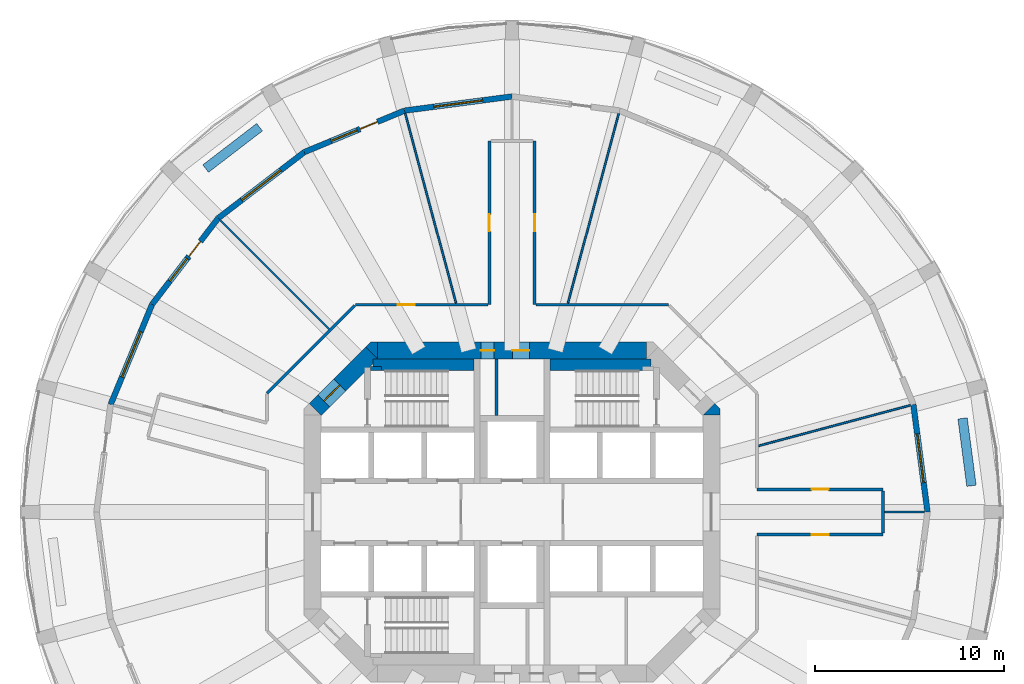
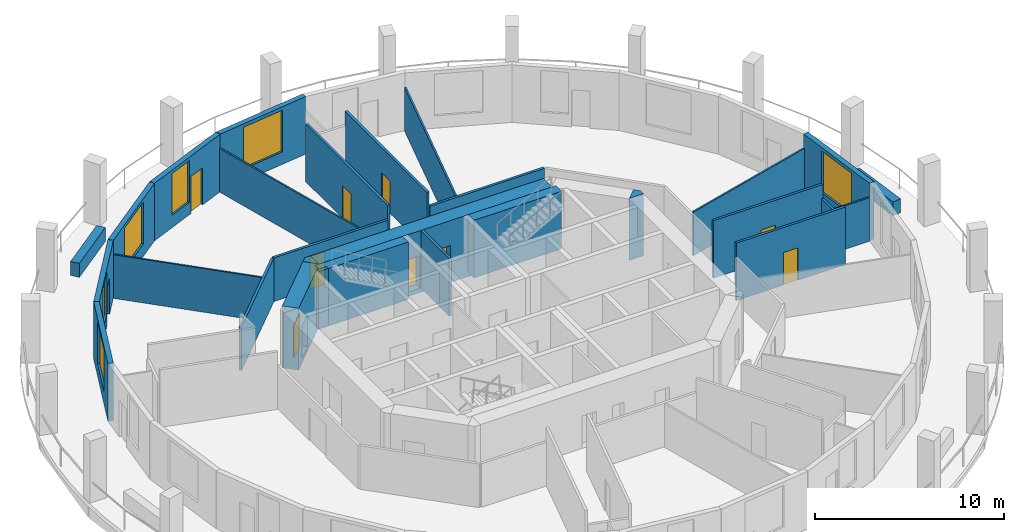
# One storey, part 5 of 8: 29 walls, 10 doors, 6 windows, 16 openings.
"""IFC4 building model written with IfcOpenShell, lengths in metres."""

from ifc_helpers import new_model, si_unit, direction, frame, frame_2d, origin, place, context, subcontext, project, spatial, polyline, rectangle, outline, extrude, material, layer, layer_set, type_object, element, fill, save


model = new_model("IFC4")

# Units and contexts
model_context = context("Model", 3, precision=1e-05, world=origin(), true_north=direction((0.0, 1.0)))
body_context = subcontext(model_context, "Body", "Model", "MODEL_VIEW")
ifc_project = project(units=[si_unit("LENGTHUNIT", "METRE"), si_unit("AREAUNIT", "SQUARE_METRE"), si_unit("VOLUMEUNIT", "CUBIC_METRE"), si_unit("PLANEANGLEUNIT", "RADIAN"), si_unit("MASSUNIT", "GRAM", prefix="KILO")], contexts=[model_context])

# Site, building, storey
site_placement = place(None, origin())
site = spatial("IfcSite", under=ifc_project, at=site_placement, CompositionType="ELEMENT")
building_placement = place(site_placement, origin())
building = spatial("IfcBuilding", under=site, at=building_placement, Name="Torre Triforio", CompositionType="ELEMENT")
storey_placement = place(building_placement, frame((0.0, 0.0, 90.60009765625)))
storey = spatial("IfcBuildingStorey", under=building, at=storey_placement, Name="L19", CompositionType="ELEMENT", Elevation=90.60009765625)

# Wall, openings, doors
ifc_material_1 = material(Name="Concrete C60", Category="concrete")
ifc_layer_1 = layer(ifc_material_1, 0.89990234375)
ifc_layer_set_1 = layer_set([ifc_layer_1], Name="Concrete C60")
wall_type_1 = type_object("IfcWallType", Name="Core wall 900 mm C60 EI 120", PredefinedType="SHEAR", material=ifc_layer_set_1)
wall_1_placement = place(storey_placement, frame((-7.1298828125, 8.550048828125, -0.280029296875), z_axis=(0.0, 0.0, 1.0), x_axis=(1.0, 0.0, 0.0)))
wall_1 = element("IfcWall", 1, at=wall_1_placement, inside=storey, type_object=wall_type_1, Name="Core wall", PredefinedType="SHEAR", context=body_context, shape_type="SweptSolid", body=[
    extrude(rectangle(XDim=14.259765625, YDim=0.89990234375, at=frame_2d((7.1298828125, 0.0))), origin(), (0.0, 0.0, 1.0), 4.0),
])
opening_1_placement = place(wall_1_placement, frame((5.47998046875, 0.0, 0.280029296875)))
opening_1 = element("IfcOpeningElement", 2, at=opening_1_placement, cuts=wall_1, Name="Opening RISER-N", PredefinedType="OPENING", context=body_context, shape_type="SweptSolid", body=[
    extrude(rectangle(XDim=0.699951171875, YDim=2.10009765625, at=frame_2d((0.35009765625, 1.050048828125))), frame((0.0, 0.4599609375, 0.0), z_axis=(0.0, -1.0, 0.0), x_axis=(1.0, 0.0, 0.0)), (0.0, 0.0, 1.0), 0.919921875),
])
opening_2_placement = place(wall_1_placement, frame((7.155029296875, 0.0, 0.280029296875)))
opening_2 = element("IfcOpeningElement", 3, at=opening_2_placement, cuts=wall_1, Name="Opening NE-01", PredefinedType="OPENING", context=body_context, shape_type="SweptSolid", body=[
    extrude(rectangle(XDim=0.89990234375, YDim=2.10009765625, at=frame_2d((0.449951171875, 1.050048828125))), frame((0.0, 0.4599609375, 0.0), z_axis=(0.0, -1.0, 0.0), x_axis=(1.0, 0.0, 0.0)), (0.0, 0.0, 1.0), 0.919921875),
])
ifc_material_2 = material(Name="Hollow metal fire door leaf")
door_type_1 = type_object("IfcDoorType", Name="Riser door 700 x 2100 EI 60", OperationType="NOTDEFINED", PredefinedType="DOOR", material=ifc_material_2)
door_1_placement = place(opening_1_placement, origin())
door_1 = element("IfcDoor", 4, at=door_1_placement, inside=storey, type_object=door_type_1, Name="Core door RISER-N", OperationType="SINGLE_SWING_LEFT", OverallHeight=2.10009765625, OverallWidth=0.699951171875, PredefinedType="DOOR", context=body_context, shape_type="SweptSolid", body=[
    extrude(rectangle(XDim=0.699951171875, YDim=2.10009765625, at=frame_2d((0.35009765625, 1.050048828125))), frame((0.0, 0.02490234375, 0.0), z_axis=(0.0, -1.0, 0.0), x_axis=(1.0, 0.0, 0.0)), (0.0, 0.0, 1.0), 0.050048828125),
])
fill(opening_1, door_1)
door_type_2 = type_object("IfcDoorType", Name="Room door 900 x 2100 EI 60", OperationType="NOTDEFINED", PredefinedType="DOOR", material=ifc_material_2)
door_2_placement = place(opening_2_placement, origin())
door_2 = element("IfcDoor", 5, at=door_2_placement, inside=storey, type_object=door_type_2, Name="Core door NE-01", OperationType="SINGLE_SWING_RIGHT", OverallHeight=2.10009765625, OverallWidth=0.89990234375, PredefinedType="DOOR", context=body_context, shape_type="SweptSolid", body=[
    extrude(rectangle(XDim=0.89990234375, YDim=2.10009765625, at=frame_2d((0.449951171875, 1.050048828125))), frame((0.0, 0.02490234375, 0.0), z_axis=(0.0, -1.0, 0.0), x_axis=(1.0, 0.0, 0.0)), (0.0, 0.0, 1.0), 0.050048828125),
])
fill(opening_2, door_2)

# Wall, opening, door
wall_2_placement = place(storey_placement, frame((-10.418212890625, 5.418212890625, -0.280029296875), z_axis=(0.0, 0.0, 1.0), x_axis=(0.707106781187, 0.707106781187, 0.0)))
wall_2 = element("IfcWall", 6, at=wall_2_placement, inside=storey, type_object=wall_type_1, Name="Core wall", PredefinedType="SHEAR", context=body_context, shape_type="SweptSolid", body=[
    extrude(rectangle(XDim=4.24267578125, YDim=0.89990234375, at=frame_2d((2.121337890625, 0.0))), origin(), (0.0, 0.0, 1.0), 4.0),
])
opening_3_placement = place(wall_2_placement, frame((0.64990234375, 0.0, 0.280029296875)))
opening_3 = element("IfcOpeningElement", 7, at=opening_3_placement, cuts=wall_2, Name="Opening ST1-EXIT", PredefinedType="OPENING", context=body_context, shape_type="SweptSolid", body=[
    extrude(rectangle(XDim=1.199951171875, YDim=2.10009765625, at=frame_2d((0.60009765625, 1.050048828125))), frame((0.0, 0.4599609375, 0.0), z_axis=(0.0, -1.0, 0.0), x_axis=(1.0, 0.0, 0.0)), (0.0, 0.0, 1.0), 0.919921875),
])
door_type_3 = type_object("IfcDoorType", Name="Stair lobby door 1200 x 2100 EI 60", OperationType="NOTDEFINED", PredefinedType="DOOR", material=ifc_material_2)
door_3_placement = place(opening_3_placement, origin())
door_3 = element("IfcDoor", 8, at=door_3_placement, inside=storey, type_object=door_type_3, Name="Core door ST1-EXIT", OperationType="SINGLE_SWING_RIGHT", OverallHeight=2.10009765625, OverallWidth=1.199951171875, PredefinedType="DOOR", context=body_context, shape_type="SweptSolid", body=[
    extrude(rectangle(XDim=1.199951171875, YDim=2.10009765625, at=frame_2d((0.60009765625, 1.050048828125))), frame((0.0, 0.02490234375, 0.0), z_axis=(0.0, -1.0, 0.0), x_axis=(1.0, 0.0, 0.0)), (0.0, 0.0, 1.0), 0.050048828125),
])
fill(opening_3, door_3)

# Walls
wall_3_placement = place(storey_placement, frame((0.0, 0.0, -0.280029296875)))
element("IfcWall", 9, at=wall_3_placement, inside=storey, type_object=wall_type_1, Name="Core wall", PredefinedType="SHEAR", context=body_context, shape_type="SweptSolid", body=[
    extrude(outline(polyline([(11.0, 5.472900390625), (11.0, 5.1298828125), (10.1298828125, 5.1298828125), (10.736328125, 5.736328125), (11.0, 5.472900390625)])), origin(), (0.0, 0.0, 1.0), 4.0),
])
wall_4_placement = place(storey_placement, frame((0.0, 0.0, -0.280029296875)))
element("IfcWall", 10, at=wall_4_placement, inside=storey, type_object=wall_type_1, Name="Core wall", PredefinedType="SHEAR", context=body_context, shape_type="SweptSolid", body=[
    extrude(outline(polyline([(-7.472900390625, 9.0), (-7.1298828125, 9.0), (-7.1298828125, 8.1298828125), (-7.736328125, 8.736328125), (-7.472900390625, 9.0)])), origin(), (0.0, 0.0, 1.0), 4.0),
])

# Wall, opening, door
ifc_material_3 = material(Name="Plasterboard on metal studs")
ifc_layer_2 = layer(ifc_material_3, 0.14990234375)
ifc_layer_set_2 = layer_set([ifc_layer_2], Name="Plasterboard on metal studs")
wall_type_2 = type_object("IfcWallType", Name="Corridor and tenancy wall 150 mm EI 60", PredefinedType="PARTITIONING", material=ifc_layer_set_2)
wall_5_placement = place(storey_placement, frame((19.648681640625, -1.199951171875, 0.0), z_axis=(0.0, 0.0, 1.0), x_axis=(-1.0, 0.0, 0.0)))
wall_5 = element("IfcWall", 11, at=wall_5_placement, inside=storey, type_object=wall_type_2, Name="Partition 1", PredefinedType="PARTITIONING", context=body_context, shape_type="SweptSolid", body=[
    extrude(rectangle(XDim=6.673583984375, YDim=0.14990234375, at=frame_2d((3.3369140625, 0.0))), origin(), (0.0, 0.0, 1.0), 3.719970703125),
])
opening_4_placement = place(wall_5_placement, frame((2.886962890625, 0.0, 0.0)))
opening_4 = element("IfcOpeningElement", 12, at=opening_4_placement, cuts=wall_5, Name="Opening N6-11", PredefinedType="OPENING", context=body_context, shape_type="SweptSolid", body=[
    extrude(rectangle(XDim=0.89990234375, YDim=2.10009765625, at=frame_2d((0.449951171875, 1.050048828125))), frame((0.0, 0.0849609375, 0.0), z_axis=(0.0, -1.0, 0.0), x_axis=(1.0, 0.0, 0.0)), (0.0, 0.0, 1.0), 0.169921875),
])
ifc_material_4 = material(Name="Timber", Category="wood")
door_type_4 = type_object("IfcDoorType", Name="Door 900 x 2100 single leaf EI 30", OperationType="NOTDEFINED", PredefinedType="DOOR", material=ifc_material_4)
door_4_placement = place(opening_4_placement, origin())
door_4 = element("IfcDoor", 13, at=door_4_placement, inside=storey, type_object=door_type_4, Name="Door N6-11", OperationType="SINGLE_SWING_RIGHT", OverallHeight=2.10009765625, OverallWidth=0.89990234375, PredefinedType="DOOR", context=body_context, shape_type="SweptSolid", body=[
    extrude(rectangle(XDim=0.89990234375, YDim=2.10009765625, at=frame_2d((0.449951171875, 1.050048828125))), frame((0.0, 0.02490234375, 0.0), z_axis=(0.0, -1.0, 0.0), x_axis=(1.0, 0.0, 0.0)), (0.0, 0.0, 1.0), 0.050048828125),
])
fill(opening_4, door_4)

# Wall
wall_6_placement = place(storey_placement, frame((-12.97509765625, 6.291015625, 0.0), z_axis=(0.0, 0.0, 1.0), x_axis=(0.707125355289, 0.707088206597, 0.0)))
element("IfcWall", 14, at=wall_6_placement, inside=storey, type_object=wall_type_2, Name="Partition 19", PredefinedType="PARTITIONING", context=body_context, shape_type="SweptSolid", body=[
    extrude(rectangle(XDim=6.572021484375, YDim=0.14990234375, at=frame_2d((3.2861328125, 0.0))), origin(), (0.0, 0.0, 1.0), 2.81982421875),
])

# Wall, opening, door
wall_7_placement = place(storey_placement, frame((-8.291015625, 10.97509765625, 0.0), z_axis=(0.0, 0.0, 1.0), x_axis=(1.0, 0.0, 0.0)))
wall_7 = element("IfcWall", 15, at=wall_7_placement, inside=storey, type_object=wall_type_2, Name="Partition 20", PredefinedType="PARTITIONING", context=body_context, shape_type="SweptSolid", body=[
    extrude(rectangle(XDim=7.01611328125, YDim=0.14990234375, at=frame_2d((3.508056640625, 0.0))), origin(), (0.0, 0.0, 1.0), 2.81982421875),
])
opening_5_placement = place(wall_7_placement, frame((2.25, 0.0, 0.0)))
opening_5 = element("IfcOpeningElement", 16, at=opening_5_placement, cuts=wall_7, Name="Opening N6-04", PredefinedType="OPENING", context=body_context, shape_type="SweptSolid", body=[
    extrude(rectangle(XDim=0.89990234375, YDim=2.10009765625, at=frame_2d((0.449951171875, 1.050048828125))), frame((0.0, 0.0849609375, 0.0), z_axis=(0.0, -1.0, 0.0), x_axis=(1.0, 0.0, 0.0)), (0.0, 0.0, 1.0), 0.169921875),
])
door_5_placement = place(opening_5_placement, origin())
door_5 = element("IfcDoor", 17, at=door_5_placement, inside=storey, type_object=door_type_4, Name="Door N6-04", OperationType="SINGLE_SWING_RIGHT", OverallHeight=2.10009765625, OverallWidth=0.89990234375, PredefinedType="DOOR", context=body_context, shape_type="SweptSolid", body=[
    extrude(rectangle(XDim=0.89990234375, YDim=2.10009765625, at=frame_2d((0.449951171875, 1.050048828125))), frame((0.0, 0.02490234375, 0.0), z_axis=(0.0, -1.0, 0.0), x_axis=(1.0, 0.0, 0.0)), (0.0, 0.0, 1.0), 0.050048828125),
])
fill(opening_5, door_5)

wall_8_placement = place(storey_placement, frame((-1.199951171875, 10.97509765625, 0.0), z_axis=(0.0, 0.0, 1.0), x_axis=(0.0, 1.0, 0.0)))
wall_8 = element("IfcWall", 18, at=wall_8_placement, inside=storey, type_object=wall_type_2, Name="Partition 21", PredefinedType="PARTITIONING", context=body_context, shape_type="SweptSolid", body=[
    extrude(rectangle(XDim=8.673583984375, YDim=0.14990234375, at=frame_2d((4.3369140625, 0.0))), origin(), (0.0, 0.0, 1.0), 3.719970703125),
])
opening_6_placement = place(wall_8_placement, frame((3.886962890625, 0.0, 0.0)))
opening_6 = element("IfcOpeningElement", 19, at=opening_6_placement, cuts=wall_8, Name="Opening N6-03", PredefinedType="OPENING", context=body_context, shape_type="SweptSolid", body=[
    extrude(rectangle(XDim=0.89990234375, YDim=2.10009765625, at=frame_2d((0.449951171875, 1.050048828125))), frame((0.0, 0.0849609375, 0.0), z_axis=(0.0, -1.0, 0.0), x_axis=(1.0, 0.0, 0.0)), (0.0, 0.0, 1.0), 0.169921875),
])
door_6_placement = place(opening_6_placement, origin())
door_6 = element("IfcDoor", 20, at=door_6_placement, inside=storey, type_object=door_type_4, Name="Door N6-03", OperationType="SINGLE_SWING_RIGHT", OverallHeight=2.10009765625, OverallWidth=0.89990234375, PredefinedType="DOOR", context=body_context, shape_type="SweptSolid", body=[
    extrude(rectangle(XDim=0.89990234375, YDim=2.10009765625, at=frame_2d((0.449951171875, 1.050048828125))), frame((0.0, 0.02490234375, 0.0), z_axis=(0.0, -1.0, 0.0), x_axis=(1.0, 0.0, 0.0)), (0.0, 0.0, 1.0), 0.050048828125),
])
fill(opening_6, door_6)

wall_9_placement = place(storey_placement, frame((1.199951171875, 19.648681640625, 0.0), z_axis=(0.0, 0.0, 1.0), x_axis=(0.0, -1.0, 0.0)))
wall_9 = element("IfcWall", 21, at=wall_9_placement, inside=storey, type_object=wall_type_2, Name="Partition 23", PredefinedType="PARTITIONING", context=body_context, shape_type="SweptSolid", body=[
    extrude(rectangle(XDim=8.673583984375, YDim=0.14990234375, at=frame_2d((4.3369140625, 0.0))), origin(), (0.0, 0.0, 1.0), 3.719970703125),
])
opening_7_placement = place(wall_9_placement, frame((3.886962890625, 0.0, 0.0)))
opening_7 = element("IfcOpeningElement", 22, at=opening_7_placement, cuts=wall_9, Name="Opening N6-02", PredefinedType="OPENING", context=body_context, shape_type="SweptSolid", body=[
    extrude(rectangle(XDim=0.89990234375, YDim=2.10009765625, at=frame_2d((0.449951171875, 1.050048828125))), frame((0.0, 0.0849609375, 0.0), z_axis=(0.0, -1.0, 0.0), x_axis=(1.0, 0.0, 0.0)), (0.0, 0.0, 1.0), 0.169921875),
])
door_7_placement = place(opening_7_placement, origin())
door_7 = element("IfcDoor", 23, at=door_7_placement, inside=storey, type_object=door_type_4, Name="Door N6-02", OperationType="SINGLE_SWING_RIGHT", OverallHeight=2.10009765625, OverallWidth=0.89990234375, PredefinedType="DOOR", context=body_context, shape_type="SweptSolid", body=[
    extrude(rectangle(XDim=0.89990234375, YDim=2.10009765625, at=frame_2d((0.449951171875, 1.050048828125))), frame((0.0, 0.02490234375, 0.0), z_axis=(0.0, -1.0, 0.0), x_axis=(1.0, 0.0, 0.0)), (0.0, 0.0, 1.0), 0.050048828125),
])
fill(opening_7, door_7)

# Wall
wall_10_placement = place(storey_placement, frame((1.27490234375, 10.97509765625, 0.0), z_axis=(0.0, 0.0, 1.0), x_axis=(1.0, 0.0, 0.0)))
element("IfcWall", 24, at=wall_10_placement, inside=storey, type_object=wall_type_2, Name="Partition 24", PredefinedType="PARTITIONING", context=body_context, shape_type="SweptSolid", body=[
    extrude(rectangle(XDim=7.01611328125, YDim=0.14990234375, at=frame_2d((3.508056640625, 0.0))), origin(), (0.0, 0.0, 1.0), 2.81982421875),
])

# Wall, opening, door
wall_11_placement = place(storey_placement, frame((12.97509765625, 1.199951171875, 0.0), z_axis=(0.0, 0.0, 1.0), x_axis=(1.0, 0.0, 0.0)))
wall_11 = element("IfcWall", 25, at=wall_11_placement, inside=storey, type_object=wall_type_2, Name="Partition 27", PredefinedType="PARTITIONING", context=body_context, shape_type="SweptSolid", body=[
    extrude(rectangle(XDim=6.673583984375, YDim=0.14990234375, at=frame_2d((3.3369140625, 0.0))), origin(), (0.0, 0.0, 1.0), 3.719970703125),
])
opening_8_placement = place(wall_11_placement, frame((2.886962890625, 0.0, 0.0)))
opening_8 = element("IfcOpeningElement", 26, at=opening_8_placement, cuts=wall_11, Name="Opening N6-12", PredefinedType="OPENING", context=body_context, shape_type="SweptSolid", body=[
    extrude(rectangle(XDim=0.89990234375, YDim=2.10009765625, at=frame_2d((0.449951171875, 1.050048828125))), frame((0.0, 0.0849609375, 0.0), z_axis=(0.0, -1.0, 0.0), x_axis=(1.0, 0.0, 0.0)), (0.0, 0.0, 1.0), 0.169921875),
])
door_8_placement = place(opening_8_placement, origin())
door_8 = element("IfcDoor", 27, at=door_8_placement, inside=storey, type_object=door_type_4, Name="Door N6-12", OperationType="SINGLE_SWING_RIGHT", OverallHeight=2.10009765625, OverallWidth=0.89990234375, PredefinedType="DOOR", context=body_context, shape_type="SweptSolid", body=[
    extrude(rectangle(XDim=0.89990234375, YDim=2.10009765625, at=frame_2d((0.449951171875, 1.050048828125))), frame((0.0, 0.02490234375, 0.0), z_axis=(0.0, -1.0, 0.0), x_axis=(1.0, 0.0, 0.0)), (0.0, 0.0, 1.0), 0.050048828125),
])
fill(opening_8, door_8)

# Walls
wall_12_placement = place(storey_placement, frame((19.648681640625, 1.125, 0.0), z_axis=(0.0, 0.0, 1.0), x_axis=(0.0, -1.0, 0.0)))
element("IfcWall", 28, at=wall_12_placement, inside=storey, type_object=wall_type_2, Name="Partition 28", PredefinedType="PARTITIONING", context=body_context, shape_type="SweptSolid", body=[
    extrude(rectangle(XDim=2.25, YDim=0.14990234375, at=frame_2d((1.125, 0.0))), origin(), (0.0, 0.0, 1.0), 2.81982421875),
])
ifc_layer_3 = layer(ifc_material_3, 0.10009765625)
ifc_layer_set_3 = layer_set([ifc_layer_3], Name="Plasterboard on metal studs")
wall_type_3 = type_object("IfcWallType", Name="Partition 100 mm board on metal studs", PredefinedType="PARTITIONING", material=ifc_layer_set_3)
wall_13_placement = place(storey_placement, frame((19.7236328125, 0.0, 0.0), z_axis=(0.0, 0.0, 1.0), x_axis=(1.0, 0.0, 0.0)))
element("IfcWall", 29, at=wall_13_placement, inside=storey, type_object=wall_type_3, Name="Partition 29", PredefinedType="PARTITIONING", context=body_context, shape_type="SweptSolid", body=[
    extrude(rectangle(XDim=2.113037109375, YDim=0.10009765625, at=frame_2d((1.056640625, 0.0))), origin(), (0.0, 0.0, 1.0), 2.81982421875),
])
wall_14_placement = place(storey_placement, frame((13.064208984375, 3.50048828125, 0.0), z_axis=(0.0, 0.0, 1.0), x_axis=(0.965920254223, 0.258839839442, 0.0)))
element("IfcWall", 30, at=wall_14_placement, inside=storey, type_object=wall_type_3, Name="Partition 30", PredefinedType="PARTITIONING", context=body_context, shape_type="SweptSolid", body=[
    extrude(rectangle(XDim=8.3115234375, YDim=0.10009765625, at=frame_2d((4.15576171875, 0.0))), origin(), (0.0, 0.0, 1.0), 2.81982421875),
])
for number, where, z_axis, x_axis, name in (
    (31, (2.964599609375, 11.064208984375, 0.0), (0.0, 0.0, 1.0), (0.258834819477, 0.96592159942, 0.0), "Partition 31"),
    (32, (-2.964599609375, 11.064208984375, 0.0), (0.0, 0.0, 1.0), (-0.258834819477, 0.96592159942, 0.0), "Partition 33"),
):
    element("IfcWall", number, at=place(storey_placement, frame(where, z_axis=z_axis, x_axis=x_axis)), inside=storey, type_object=wall_type_3, Name=name, PredefinedType="PARTITIONING", context=body_context, shape_type="SweptSolid", body=[
        extrude(rectangle(XDim=10.382080078125, YDim=0.10009765625, at=frame_2d((5.19091796875, 0.0))), origin(), (0.0, 0.0, 1.0), 2.81982421875),
    ])
wall_15_placement = place(storey_placement, frame((-9.68603515625, 9.68603515625, 0.0), z_axis=(0.0, 0.0, 1.0), x_axis=(-0.707106781187, 0.707106781187, 0.0)))
element("IfcWall", 33, at=wall_15_placement, inside=storey, type_object=wall_type_3, Name="Partition 34", PredefinedType="PARTITIONING", context=body_context, shape_type="SweptSolid", body=[
    extrude(rectangle(XDim=8.138671875, YDim=0.10009765625, at=frame_2d((4.0693359375, 0.0))), origin(), (0.0, 0.0, 1.0), 2.81982421875),
])
ifc_material_5 = material(Name="Block and board partition")
ifc_layer_4 = layer(ifc_material_5, 0.14990234375)
ifc_layer_set_4 = layer_set([ifc_layer_4], Name="Block and board partition")
wall_type_4 = type_object("IfcWallType", Name="Partition 150 mm EI 120", PredefinedType="PARTITIONING", material=ifc_layer_set_4)
wall_16_placement = place(storey_placement, frame((-0.824951171875, 5.10009765625, 0.0), z_axis=(0.0, 0.0, 1.0), x_axis=(0.0, 1.0, 0.0)))
element("IfcWall", 34, at=wall_16_placement, inside=storey, type_object=wall_type_4, Name="Partition", PredefinedType="PARTITIONING", context=body_context, shape_type="SweptSolid", body=[
    extrude(rectangle(XDim=3.0, YDim=0.14990234375, at=frame_2d((1.5, 0.0))), origin(), (0.0, 0.0, 1.0), 3.719970703125),
])
ifc_material_6 = material(Name="Limestone cladding", Category="masonry")
ifc_layer_5 = layer(ifc_material_6, 0.10009765625)
ifc_material_7 = material(Name="Concrete C40", Category="concrete")
ifc_layer_6 = layer(ifc_material_7, 0.39990234375)
ifc_layer_set_5 = layer_set([ifc_layer_5, ifc_layer_6], Name="Limestone cladding / Concrete C40")
wall_type_5 = type_object("IfcWallType", Name="Planter wall 500", PredefinedType="PARAPET", material=ifc_layer_set_5)
for number, where, z_axis, x_axis, name in (
    (35, (24.3271484375, 1.38720703125, 0.0), (0.0, 0.0, 1.0), (-0.130551000099, 0.991441595039, 0.0), "Planter L19 bay 01"),
    (36, (-13.364990234375, 20.374267578125, 0.0), (0.0, 0.0, 1.0), (-0.793326845617, -0.608795955984, 0.0), "Planter L19 bay 09"),
):
    element("IfcWall", number, at=place(storey_placement, frame(where, z_axis=z_axis, x_axis=x_axis)), inside=storey, type_object=wall_type_5, Name=name, PredefinedType="PARAPET", context=body_context, shape_type="SweptSolid", body=[
        extrude(rectangle(XDim=3.599853515625, YDim=0.5, at=frame_2d((1.7998046875, 0.0))), origin(), (0.0, 0.0, 1.0), 0.89990234375),
    ])
ifc_layer_7 = layer(ifc_material_1, 0.199951171875)
ifc_layer_set_6 = layer_set([ifc_layer_7], Name="Concrete C60")
wall_type_6 = type_object("IfcWallType", Name="Stair wall 200 mm C60 EI 120", PredefinedType="SHEAR", material=ifc_layer_set_6)
wall_17_placement = place(storey_placement, frame((-7.5, 7.60009765625, 0.0), z_axis=(0.0, 0.0, 1.0), x_axis=(1.0, 0.0, 0.0)))
element("IfcWall", 37, at=wall_17_placement, inside=storey, type_object=wall_type_6, Name="Stair wall", PredefinedType="SHEAR", context=body_context, shape_type="SweptSolid", body=[
    extrude(rectangle(XDim=0.60009765625, YDim=0.199951171875, at=frame_2d((0.300048828125, 0.0))), origin(), (0.0, 0.0, 1.0), 3.719970703125),
])
ifc_layer_8 = layer(ifc_material_1, 0.60009765625)
ifc_layer_set_7 = layer_set([ifc_layer_8], Name="Concrete C60")
wall_type_7 = type_object("IfcWallType", Name="Stair wall 600 mm C60 EI 120", PredefinedType="SHEAR", material=ifc_layer_set_7)
for number, where, z_axis, x_axis, name in (
    (38, (-7.3701171875, 7.800048828125, 0.0), (0.0, 0.0, 1.0), (1.0, 0.0, 0.0), "Stair wall"),
    (39, (2.0, 7.800048828125, 0.0), (0.0, 0.0, 1.0), (1.0, 0.0, 0.0), "Stair wall"),
):
    element("IfcWall", number, at=place(storey_placement, frame(where, z_axis=z_axis, x_axis=x_axis)), inside=storey, type_object=wall_type_7, Name=name, PredefinedType="SHEAR", context=body_context, shape_type="SweptSolid", body=[
        extrude(rectangle(XDim=5.3701171875, YDim=0.60009765625, at=frame_2d((2.68505859375, 0.0))), origin(), (0.0, 0.0, 1.0), 3.719970703125),
    ])

# Wall, opening, window
ifc_layer_9 = layer(ifc_material_6, 0.10009765625)
ifc_layer_10 = layer(ifc_material_7, 0.199951171875)
ifc_layer_set_8 = layer_set([ifc_layer_9, ifc_layer_10], Name="Limestone cladding / Concrete C40")
wall_type_8 = type_object("IfcWallType", Name="Stone-faced composite wall 300", PredefinedType="STANDARD", material=ifc_layer_set_8)
wall_18_placement = place(storey_placement, frame((22.0, 0.0, 0.0), z_axis=(0.0, 0.0, 1.0), x_axis=(-0.130503995834, 0.991447783331, 0.0)))
wall_18 = element("IfcWall", 40, at=wall_18_placement, inside=storey, type_object=wall_type_8, Name="External wall L19 bay 01", PredefinedType="STANDARD", context=body_context, shape_type="SweptSolid", body=[
    extrude(rectangle(XDim=5.7431640625, YDim=0.300048828125, at=frame_2d((2.87158203125, 0.0))), origin(), (0.0, 0.0, 1.0), 3.719970703125),
])
opening_9_placement = place(wall_18_placement, frame((1.571533203125, 0.0, 0.800048828125)))
opening_9 = element("IfcOpeningElement", 41, at=opening_9_placement, cuts=wall_18, Name="Opening N6-W01", PredefinedType="OPENING", context=body_context, shape_type="SweptSolid", body=[
    extrude(rectangle(XDim=2.60009765625, YDim=2.699951171875, at=frame_2d((1.300048828125, 1.35009765625))), frame((0.0, 0.159912109375, 0.0), z_axis=(0.0, -1.0, 0.0), x_axis=(1.0, 0.0, 0.0)), (0.0, 0.0, 1.0), 0.320068359375),
])
ifc_material_8 = material(Name="Aluminium frame with clear double glazing", Category="aluminium")
window_type_1 = type_object("IfcWindowType", Name="Punched window 2600 x 2700", PartitioningType="DOUBLE_PANEL_VERTICAL", PredefinedType="WINDOW", material=ifc_material_8)
window_1_placement = place(opening_9_placement, origin())
window_1 = element("IfcWindow", 42, at=window_1_placement, inside=storey, type_object=window_type_1, Name="Window EWN2 L19 bay 01", OverallHeight=2.699951171875, OverallWidth=2.60009765625, PartitioningType="SINGLE_PANEL", PredefinedType="WINDOW", context=body_context, shape_type="SweptSolid", body=[
    extrude(rectangle(XDim=2.60009765625, YDim=2.699951171875, at=frame_2d((1.300048828125, 1.35009765625))), frame((0.0, 0.030029296875, 0.0), z_axis=(0.0, -1.0, 0.0), x_axis=(1.0, 0.0, 0.0)), (0.0, 0.0, 1.0), 0.06005859375),
])
fill(opening_9, window_1)

wall_19_placement = place(storey_placement, frame((0.0, 22.0, 0.0), z_axis=(0.0, 0.0, 1.0), x_axis=(-0.991447783331, -0.130503995834, 0.0)))
wall_19 = element("IfcWall", 43, at=wall_19_placement, inside=storey, type_object=wall_type_8, Name="External wall L19 bay 07", PredefinedType="STANDARD", context=body_context, shape_type="SweptSolid", body=[
    extrude(rectangle(XDim=5.7431640625, YDim=0.300048828125, at=frame_2d((2.87158203125, 0.0))), origin(), (0.0, 0.0, 1.0), 3.719970703125),
])
opening_10_placement = place(wall_19_placement, frame((1.571533203125, 0.0, 0.800048828125)))
opening_10 = element("IfcOpeningElement", 44, at=opening_10_placement, cuts=wall_19, Name="Opening N6-W07", PredefinedType="OPENING", context=body_context, shape_type="SweptSolid", body=[
    extrude(rectangle(XDim=2.60009765625, YDim=2.699951171875, at=frame_2d((1.300048828125, 1.35009765625))), frame((0.0, 0.159912109375, 0.0), z_axis=(0.0, -1.0, 0.0), x_axis=(1.0, 0.0, 0.0)), (0.0, 0.0, 1.0), 0.320068359375),
])
window_2_placement = place(opening_10_placement, origin())
window_2 = element("IfcWindow", 45, at=window_2_placement, inside=storey, type_object=window_type_1, Name="Window EWN2 L19 bay 07", OverallHeight=2.699951171875, OverallWidth=2.60009765625, PartitioningType="SINGLE_PANEL", PredefinedType="WINDOW", context=body_context, shape_type="SweptSolid", body=[
    extrude(rectangle(XDim=2.60009765625, YDim=2.699951171875, at=frame_2d((1.300048828125, 1.35009765625))), frame((0.0, 0.030029296875, 0.0), z_axis=(0.0, -1.0, 0.0), x_axis=(1.0, 0.0, 0.0)), (0.0, 0.0, 1.0), 0.06005859375),
])
fill(opening_10, window_2)

# Wall, openings, door, window
wall_20_placement = place(storey_placement, frame((-5.694091796875, 21.25048828125, 0.0), z_axis=(0.0, 0.0, 1.0), x_axis=(-0.923866055759, -0.382715966503, 0.0)))
wall_20 = element("IfcWall", 46, at=wall_20_placement, inside=storey, type_object=wall_type_8, Name="External wall L19 bay 08", PredefinedType="STANDARD", context=body_context, shape_type="SweptSolid", body=[
    extrude(rectangle(XDim=5.7431640625, YDim=0.300048828125, at=frame_2d((2.87158203125, 0.0))), origin(), (0.0, 0.0, 1.0), 3.719970703125),
])
opening_11_placement = place(wall_20_placement, frame((1.546630859375, 0.0, 0.0)))
opening_11 = element("IfcOpeningElement", 47, at=opening_11_placement, cuts=wall_20, Name="Opening N6-D08", PredefinedType="OPENING", context=body_context, shape_type="SweptSolid", body=[
    extrude(rectangle(XDim=1.0, YDim=2.39990234375, at=frame_2d((0.5, 1.199951171875))), frame((0.0, 0.159912109375, 0.0), z_axis=(0.0, -1.0, 0.0), x_axis=(1.0, 0.0, 0.0)), (0.0, 0.0, 1.0), 0.320068359375),
])
opening_12_placement = place(wall_20_placement, frame((2.696533203125, 0.0, 0.800048828125)))
opening_12 = element("IfcOpeningElement", 48, at=opening_12_placement, cuts=wall_20, Name="Opening N6-W08A", PredefinedType="OPENING", context=body_context, shape_type="SweptSolid", body=[
    extrude(rectangle(XDim=1.5, YDim=2.699951171875, at=frame_2d((0.75, 1.35009765625))), frame((0.0, 0.159912109375, 0.0), z_axis=(0.0, -1.0, 0.0), x_axis=(1.0, 0.0, 0.0)), (0.0, 0.0, 1.0), 0.320068359375),
])
door_type_5 = type_object("IfcDoorType", Name="Loggia door 1000 x 2400", OperationType="NOTDEFINED", PredefinedType="DOOR", material=ifc_material_8)
door_9_placement = place(opening_11_placement, origin())
door_9 = element("IfcDoor", 49, at=door_9_placement, inside=storey, type_object=door_type_5, Name="Loggia door L19 bay 08", OperationType="SINGLE_SWING_LEFT", OverallHeight=2.39990234375, OverallWidth=1.0, PredefinedType="DOOR", context=body_context, shape_type="SweptSolid", body=[
    extrude(rectangle(XDim=1.0, YDim=2.39990234375, at=frame_2d((0.5, 1.199951171875))), frame((0.0, 0.02490234375, 0.0), z_axis=(0.0, -1.0, 0.0), x_axis=(1.0, 0.0, 0.0)), (0.0, 0.0, 1.0), 0.050048828125),
])
fill(opening_11, door_9)
window_type_2 = type_object("IfcWindowType", Name="Side window 1500 x 2700", PartitioningType="SINGLE_PANEL", PredefinedType="WINDOW", material=ifc_material_8)
window_3_placement = place(opening_12_placement, origin())
window_3 = element("IfcWindow", 50, at=window_3_placement, inside=storey, type_object=window_type_2, Name="Side window EWN12 L19 bay 08", OverallHeight=2.699951171875, OverallWidth=1.5, PartitioningType="SINGLE_PANEL", PredefinedType="WINDOW", context=body_context, shape_type="SweptSolid", body=[
    extrude(rectangle(XDim=1.5, YDim=2.699951171875, at=frame_2d((0.75, 1.35009765625))), frame((0.0, 0.030029296875, 0.0), z_axis=(0.0, -1.0, 0.0), x_axis=(1.0, 0.0, 0.0)), (0.0, 0.0, 1.0), 0.06005859375),
])
fill(opening_12, window_3)

# Wall, opening, window
wall_21_placement = place(storey_placement, frame((-11.0, 19.052490234375, 0.0), z_axis=(0.0, 0.0, 1.0), x_axis=(-0.793366142647, -0.608744744291, 0.0)))
wall_21 = element("IfcWall", 51, at=wall_21_placement, inside=storey, type_object=wall_type_8, Name="External wall L19 bay 09", PredefinedType="STANDARD", context=body_context, shape_type="SweptSolid", body=[
    extrude(rectangle(XDim=5.7431640625, YDim=0.300048828125, at=frame_2d((2.87158203125, 0.0))), origin(), (0.0, 0.0, 1.0), 3.719970703125),
])
opening_13_placement = place(wall_21_placement, frame((1.571533203125, 0.0, 0.800048828125)))
opening_13 = element("IfcOpeningElement", 52, at=opening_13_placement, cuts=wall_21, Name="Opening N6-W09", PredefinedType="OPENING", context=body_context, shape_type="SweptSolid", body=[
    extrude(rectangle(XDim=2.60009765625, YDim=2.699951171875, at=frame_2d((1.300048828125, 1.35009765625))), frame((0.0, 0.159912109375, 0.0), z_axis=(0.0, -1.0, 0.0), x_axis=(1.0, 0.0, 0.0)), (0.0, 0.0, 1.0), 0.320068359375),
])
window_4_placement = place(opening_13_placement, origin())
window_4 = element("IfcWindow", 53, at=window_4_placement, inside=storey, type_object=window_type_1, Name="Window EWN2 L19 bay 09", OverallHeight=2.699951171875, OverallWidth=2.60009765625, PartitioningType="SINGLE_PANEL", PredefinedType="WINDOW", context=body_context, shape_type="SweptSolid", body=[
    extrude(rectangle(XDim=2.60009765625, YDim=2.699951171875, at=frame_2d((1.300048828125, 1.35009765625))), frame((0.0, 0.030029296875, 0.0), z_axis=(0.0, -1.0, 0.0), x_axis=(1.0, 0.0, 0.0)), (0.0, 0.0, 1.0), 0.06005859375),
])
fill(opening_13, window_4)

# Wall, openings, door, window
wall_22_placement = place(storey_placement, frame((-15.556396484375, 15.556396484375, 0.0), z_axis=(0.0, 0.0, 1.0), x_axis=(-0.608744744291, -0.793366142647, 0.0)))
wall_22 = element("IfcWall", 54, at=wall_22_placement, inside=storey, type_object=wall_type_8, Name="External wall L19 bay 10", PredefinedType="STANDARD", context=body_context, shape_type="SweptSolid", body=[
    extrude(rectangle(XDim=5.7431640625, YDim=0.300048828125, at=frame_2d((2.87158203125, 0.0))), origin(), (0.0, 0.0, 1.0), 3.719970703125),
])
opening_14_placement = place(wall_22_placement, frame((1.546630859375, 0.0, 0.0)))
opening_14 = element("IfcOpeningElement", 55, at=opening_14_placement, cuts=wall_22, Name="Opening N6-D10", PredefinedType="OPENING", context=body_context, shape_type="SweptSolid", body=[
    extrude(rectangle(XDim=1.0, YDim=2.39990234375, at=frame_2d((0.5, 1.199951171875))), frame((0.0, 0.159912109375, 0.0), z_axis=(0.0, -1.0, 0.0), x_axis=(1.0, 0.0, 0.0)), (0.0, 0.0, 1.0), 0.320068359375),
])
opening_15_placement = place(wall_22_placement, frame((2.696533203125, 0.0, 0.800048828125)))
opening_15 = element("IfcOpeningElement", 56, at=opening_15_placement, cuts=wall_22, Name="Opening N6-W10A", PredefinedType="OPENING", context=body_context, shape_type="SweptSolid", body=[
    extrude(rectangle(XDim=1.5, YDim=2.699951171875, at=frame_2d((0.75, 1.35009765625))), frame((0.0, 0.159912109375, 0.0), z_axis=(0.0, -1.0, 0.0), x_axis=(1.0, 0.0, 0.0)), (0.0, 0.0, 1.0), 0.320068359375),
])
door_10_placement = place(opening_14_placement, origin())
door_10 = element("IfcDoor", 57, at=door_10_placement, inside=storey, type_object=door_type_5, Name="Loggia door L19 bay 10", OperationType="SINGLE_SWING_LEFT", OverallHeight=2.39990234375, OverallWidth=1.0, PredefinedType="DOOR", context=body_context, shape_type="SweptSolid", body=[
    extrude(rectangle(XDim=1.0, YDim=2.39990234375, at=frame_2d((0.5, 1.199951171875))), frame((0.0, 0.02490234375, 0.0), z_axis=(0.0, -1.0, 0.0), x_axis=(1.0, 0.0, 0.0)), (0.0, 0.0, 1.0), 0.050048828125),
])
fill(opening_14, door_10)
window_5_placement = place(opening_15_placement, origin())
window_5 = element("IfcWindow", 58, at=window_5_placement, inside=storey, type_object=window_type_2, Name="Side window EWN12 L19 bay 10", OverallHeight=2.699951171875, OverallWidth=1.5, PartitioningType="SINGLE_PANEL", PredefinedType="WINDOW", context=body_context, shape_type="SweptSolid", body=[
    extrude(rectangle(XDim=1.5, YDim=2.699951171875, at=frame_2d((0.75, 1.35009765625))), frame((0.0, 0.030029296875, 0.0), z_axis=(0.0, -1.0, 0.0), x_axis=(1.0, 0.0, 0.0)), (0.0, 0.0, 1.0), 0.06005859375),
])
fill(opening_15, window_5)

# Wall, opening, window
wall_23_placement = place(storey_placement, frame((-19.052490234375, 11.0, 0.0), z_axis=(0.0, 0.0, 1.0), x_axis=(-0.382715966503, -0.923866055759, 0.0)))
wall_23 = element("IfcWall", 59, at=wall_23_placement, inside=storey, type_object=wall_type_8, Name="External wall L19 bay 11", PredefinedType="STANDARD", context=body_context, shape_type="SweptSolid", body=[
    extrude(rectangle(XDim=5.7431640625, YDim=0.300048828125, at=frame_2d((2.87158203125, 0.0))), origin(), (0.0, 0.0, 1.0), 3.719970703125),
])
opening_16_placement = place(wall_23_placement, frame((1.571533203125, 0.0, 0.800048828125)))
opening_16 = element("IfcOpeningElement", 60, at=opening_16_placement, cuts=wall_23, Name="Opening N6-W11", PredefinedType="OPENING", context=body_context, shape_type="SweptSolid", body=[
    extrude(rectangle(XDim=2.60009765625, YDim=2.699951171875, at=frame_2d((1.300048828125, 1.35009765625))), frame((0.0, 0.159912109375, 0.0), z_axis=(0.0, -1.0, 0.0), x_axis=(1.0, 0.0, 0.0)), (0.0, 0.0, 1.0), 0.320068359375),
])
window_6_placement = place(opening_16_placement, origin())
window_6 = element("IfcWindow", 61, at=window_6_placement, inside=storey, type_object=window_type_1, Name="Window EWN2 L19 bay 11", OverallHeight=2.699951171875, OverallWidth=2.60009765625, PartitioningType="SINGLE_PANEL", PredefinedType="WINDOW", context=body_context, shape_type="SweptSolid", body=[
    extrude(rectangle(XDim=2.60009765625, YDim=2.699951171875, at=frame_2d((1.300048828125, 1.35009765625))), frame((0.0, 0.030029296875, 0.0), z_axis=(0.0, -1.0, 0.0), x_axis=(1.0, 0.0, 0.0)), (0.0, 0.0, 1.0), 0.06005859375),
])
fill(opening_16, window_6)

save(model, "model.ifc")
